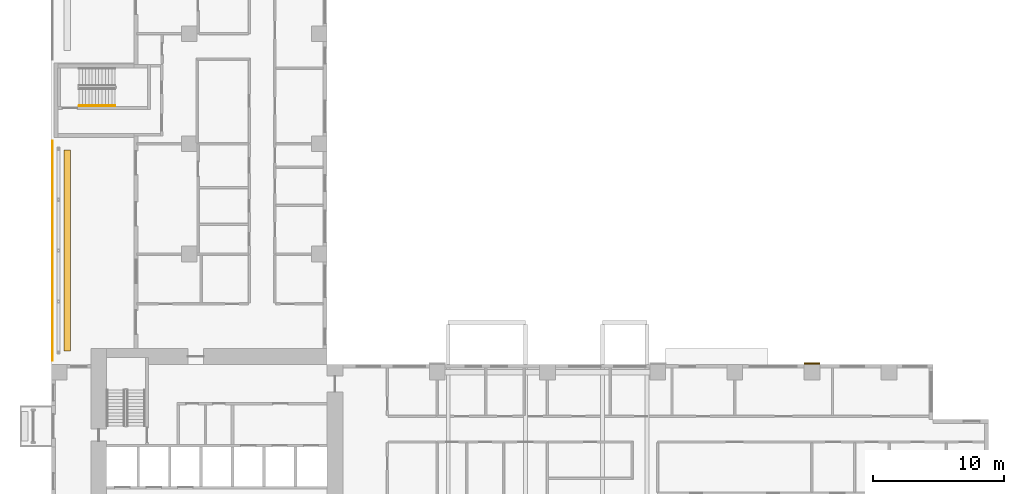
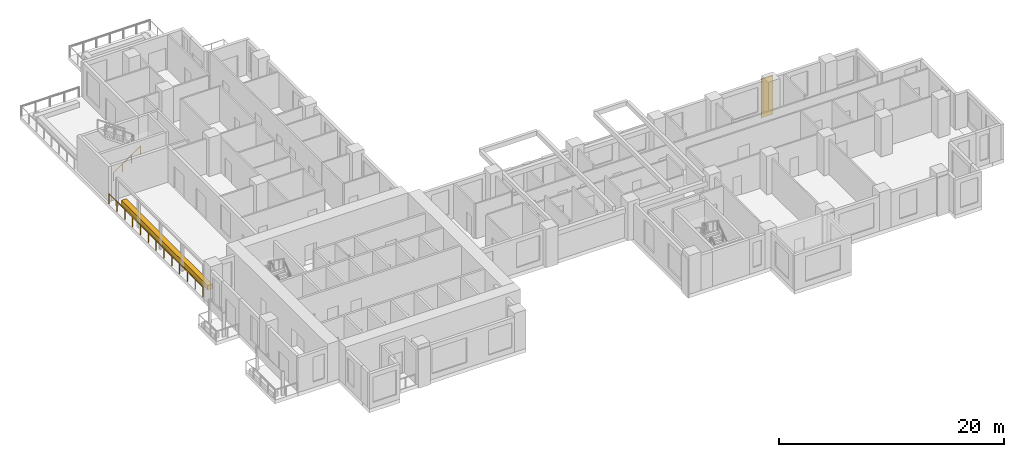
# One storey, part 16 of 18: 2 coverings, 2 railings.
"""IFC4 building model written with IfcOpenShell, lengths in metres."""

from ifc_helpers import new_model, si_unit, direction, frame, origin, origin_2d, place, context, subcontext, project, spatial, rectangle, circle, extrude, source, transform, mapped, material, type_object, element, save


model = new_model("IFC4")

# Units and contexts
model_context = context("Model", 3, precision=1e-05, world=origin(), true_north=direction((0.0, 1.0)))
body_context = subcontext(model_context, "Body", "Model", "MODEL_VIEW")
ifc_project = project(units=[si_unit("LENGTHUNIT", "METRE"), si_unit("AREAUNIT", "SQUARE_METRE"), si_unit("VOLUMEUNIT", "CUBIC_METRE"), si_unit("PLANEANGLEUNIT", "RADIAN"), si_unit("MASSUNIT", "GRAM", prefix="KILO")], contexts=[model_context])

# Site, building, storey
site_placement = place(None, origin())
site = spatial("IfcSite", under=ifc_project, at=site_placement, CompositionType="ELEMENT")
building_placement = place(site_placement, origin())
building = spatial("IfcBuilding", under=site, at=building_placement, Name="Aurelian Terraces", CompositionType="ELEMENT")
storey_placement = place(building_placement, frame((0.0, 0.0, 99.3)))
storey = spatial("IfcBuildingStorey", under=building, at=storey_placement, Name="L21", CompositionType="ELEMENT", Elevation=99.3)

# Railing
ifc_material_1 = material(Name="Anodised aluminium", Category="aluminium")
railing_type_1 = type_object("IfcRailingType", Name="GUARD-1100", PredefinedType="GUARDRAIL", material=ifc_material_1)
railing_1_placement = place(storey_placement, frame((0.09, 21.3, 0.0)))
element("IfcRailing", 1, at=railing_1_placement, inside=storey, type_object=railing_type_1, Name="Terrace guard L21 L21-X1.1", PredefinedType="GUARDRAIL", context=body_context, shape_type="SweptSolid", body=[
    extrude(circle(Radius=0.024, at=origin_2d()), frame((0.0, 0.0, 1.076), z_axis=(0.0, 1.0, 0.0), x_axis=(-1.0, 0.0, 0.0)), (0.0, 0.0, 1.0), 16.7211),
    extrude(circle(Radius=0.021, at=origin_2d()), origin(), (0.0, 0.0, 1.0), 1.052),
    extrude(circle(Radius=0.021, at=origin_2d()), frame((0.0, 1.3934, 0.0)), (0.0, 0.0, 1.0), 1.052),
    extrude(circle(Radius=0.021, at=origin_2d()), frame((0.0, 2.7868, 0.0)), (0.0, 0.0, 1.0), 1.052),
    extrude(circle(Radius=0.021, at=origin_2d()), frame((0.0, 4.1803, 0.0)), (0.0, 0.0, 1.0), 1.052),
    extrude(circle(Radius=0.021, at=origin_2d()), frame((0.0, 5.5737, 0.0)), (0.0, 0.0, 1.0), 1.052),
    extrude(circle(Radius=0.021, at=origin_2d()), frame((0.0, 6.9671, 0.0)), (0.0, 0.0, 1.0), 1.052),
    extrude(circle(Radius=0.021, at=origin_2d()), frame((0.0, 8.3605, 0.0)), (0.0, 0.0, 1.0), 1.052),
    extrude(circle(Radius=0.021, at=origin_2d()), frame((0.0, 9.754, 0.0)), (0.0, 0.0, 1.0), 1.052),
    extrude(circle(Radius=0.021, at=origin_2d()), frame((0.0, 11.1474, 0.0)), (0.0, 0.0, 1.0), 1.052),
    extrude(circle(Radius=0.021, at=origin_2d()), frame((0.0, 12.5408, 0.0)), (0.0, 0.0, 1.0), 1.052),
    extrude(circle(Radius=0.021, at=origin_2d()), frame((0.0, 13.9342, 0.0)), (0.0, 0.0, 1.0), 1.052),
    extrude(circle(Radius=0.021, at=origin_2d()), frame((0.0, 15.3277, 0.0)), (0.0, 0.0, 1.0), 1.052),
    extrude(circle(Radius=0.021, at=origin_2d()), frame((0.0, 16.7211, 0.0)), (0.0, 0.0, 1.0), 1.052),
])

# Coverings
ifc_material_2 = material(Name="Terracotta planter with planting soil", Category="masonry")
covering_type_1 = type_object("IfcCoveringType", Name="PLANTER-TROUGH", PredefinedType="USERDEFINED", material=ifc_material_2)
covering_1_placement = place(storey_placement, frame((1.19, 29.6606, 0.0), z_axis=(0.0, 0.0, 1.0), x_axis=(1.0, 0.0, 0.0)))
element("IfcCovering", 2, at=covering_1_placement, inside=storey, type_object=covering_type_1, Name="PLANTER L21 terrace L21-X1-0.1", ObjectType="PLANTER", PredefinedType="USERDEFINED", context=body_context, shape_type="SweptSolid", body=[
    extrude(rectangle(XDim=0.5, YDim=15.3211, at=origin_2d()), origin(), (0.0, 0.0, 1.0), 0.5),
])
ifc_material_3 = material(Name="Terracotta rainscreen cladding relief", Category="masonry")
covering_type_2 = type_object("IfcCoveringType", Name="BAGUETTE-TC", PredefinedType="CLADDING", material=ifc_material_3)
shared_shape_1 = source(origin(), body_context, "Body", "SweptSolid", [
    extrude(rectangle(XDim=1.2, YDim=0.12, at=origin_2d()), origin(), (0.0, 0.0, 1.0), 4.2),
])
covering_2_placement = place(storey_placement, frame((57.96, 21.06, -0.4), z_axis=(0.0, 0.0, 1.0), x_axis=(1.0, 0.0, 0.0)))
element("IfcCovering", 3, at=covering_2_placement, inside=storey, type_object=covering_type_2, Name="BAGUETTE pier L21 7", PredefinedType="CLADDING", context=body_context, shape_type="MappedRepresentation", body=[
    mapped(shared_shape_1, transform((0.0, 0.0, 0.0), scale=1.0)),
])

# Railing
ifc_material_4 = material(Name="Stainless steel", Category="steel")
railing_type_2 = type_object("IfcRailingType", Name="Stair handrail", PredefinedType="HANDRAIL", material=ifc_material_4)
shared_shape_2 = source(origin(), body_context, "Body", "SweptSolid", [
    extrude(circle(Radius=0.024, at=origin_2d()), frame((0.0, 0.0, 0.876), z_axis=(0.819231920519, 0.0, 0.573462344363), x_axis=(0.0, 1.0, 0.0)), (0.0, 0.0, 1.0), 3.3568),
    extrude(circle(Radius=0.021, at=origin_2d()), origin(), (0.0, 0.0, 1.0), 0.852),
    extrude(circle(Radius=0.021, at=origin_2d()), frame((0.9167, 0.0, 0.6417)), (0.0, 0.0, 1.0), 0.852),
    extrude(circle(Radius=0.021, at=origin_2d()), frame((1.8333, 0.0, 1.2833)), (0.0, 0.0, 1.0), 0.852),
    extrude(circle(Radius=0.021, at=origin_2d()), frame((2.75, 0.0, 1.925)), (0.0, 0.0, 1.0), 0.852),
])
railing_2_placement = place(storey_placement, frame((2.1, 40.7, 0.175)))
element("IfcRailing", 4, at=railing_2_placement, inside=storey, type_object=railing_type_2, Name="L21 S3 stair handrail 1", PredefinedType="HANDRAIL", context=body_context, shape_type="MappedRepresentation", body=[
    mapped(shared_shape_2, transform((0.0, 0.0, 0.0), scale=1.0)),
])

save(model, "model.ifc")
